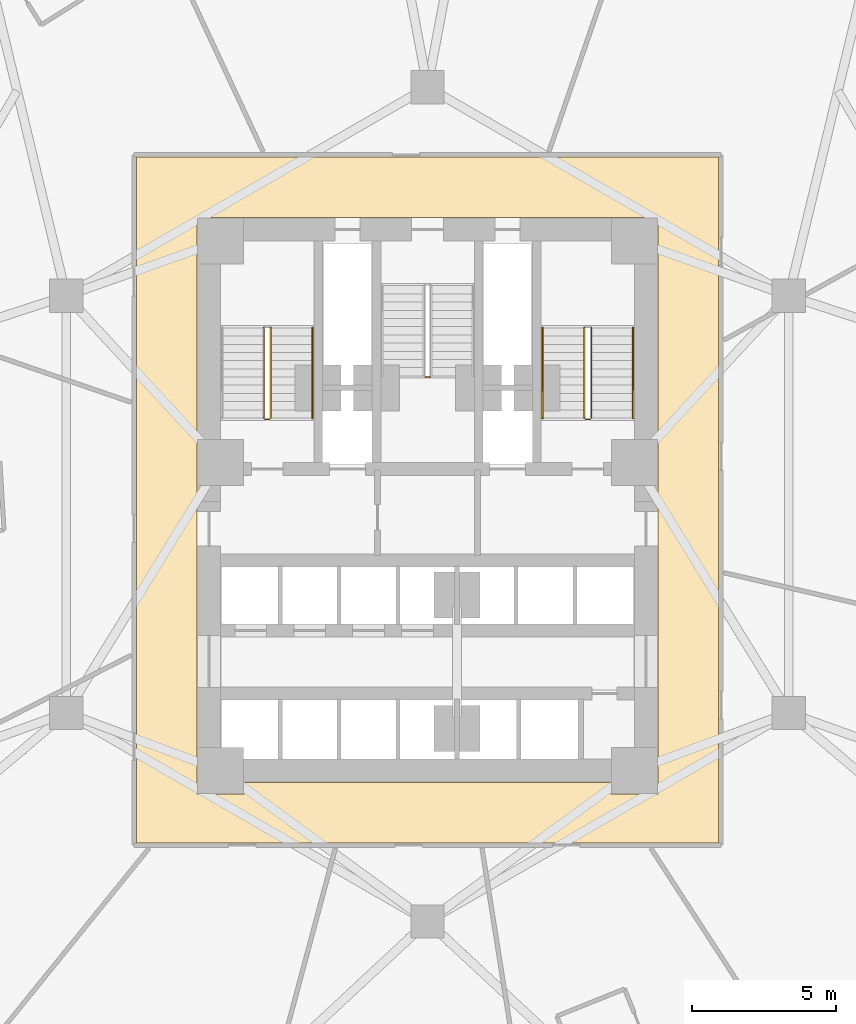
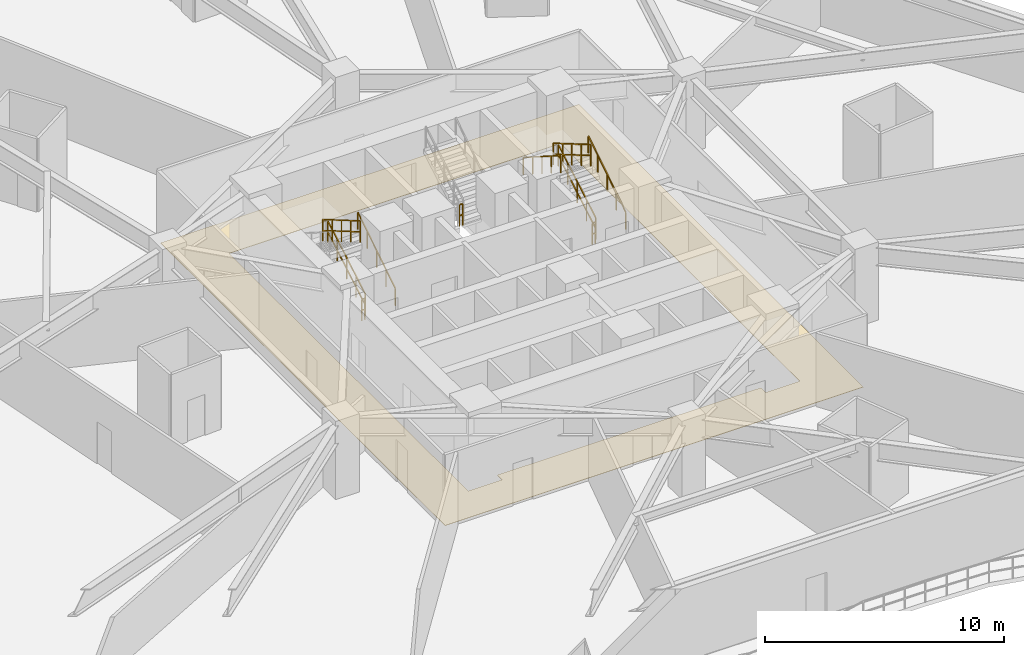
# One storey, part 9 of 11: 10 railings, 1 covering.
"""IFC4 building model written with IfcOpenShell, lengths in metres."""

import ifcopenshell
import ifcopenshell.guid

model = None  # the IFC model being written
_history = None  # IfcOwnerHistory: only IFC2X3 demands one
_inside = {}  # id of a spatial element -> (the spatial element, [elements in it])
_under = {}  # id of a project, library or spatial element -> (it, [spatial elements below it])
_declared = {}  # id of a project -> (the project, [libraries it declares])
_typed = {}  # id of a type object -> (the type object, [elements of that type])
_made_of = {}  # id of a material, layer set ... -> (it, [elements and type objects made of it])


def new_model(schema):
    """Start an empty IFC model of exactly this schema.

    Asked for "IFC4X3", IfcOpenShell would pick the latest addendum, in which some entities
    have other attributes; the version numbers below select the first issue.
    IFC2X3 requires an IfcOwnerHistory on every rooted entity: one is made here for all.
    """
    global model, _history
    if schema == "IFC4X3":
        model = ifcopenshell.file(schema_version=(4, 3, 0, 0))
    else:
        model = ifcopenshell.file(schema=schema)
    _inside.clear()
    _under.clear()
    _declared.clear()
    _typed.clear()
    _made_of.clear()
    _history = None
    if model.schema == "IFC2X3":
        org = make("IfcOrganization", Name="unknown")
        user = make(
            "IfcPersonAndOrganization",
            ThePerson=make("IfcPerson", FamilyName="unknown"),
            TheOrganization=org,
        )
        app = make(
            "IfcApplication",
            ApplicationDeveloper=org,
            Version="unknown",
            ApplicationFullName="unknown",
            ApplicationIdentifier="unknown",
        )
        _history = make(
            "IfcOwnerHistory",
            OwningUser=user,
            OwningApplication=app,
            ChangeAction="ADDED",
            CreationDate=0,
        )
    return model


def make(cls, **values):
    """One entity of the class cls with the attributes given. An attribute that is None is left unset."""
    return model.create_entity(
        cls, **{name: value for name, value in values.items() if value is not None}
    )


def rooted(cls, **values):
    """An entity with a GlobalId (a new one), such as an element, a storey or a relation."""
    return make(cls, GlobalId=ifcopenshell.guid.new(), OwnerHistory=_history, **values)


def si_unit(unit_type, name, prefix=None):
    """IfcSIUnit, for example si_unit("LENGTHUNIT", "METRE", prefix="MILLI")."""
    return make("IfcSIUnit", UnitType=unit_type, Prefix=prefix, Name=name)


def assignment(units):
    """IfcUnitAssignment: the units of a project."""
    return None if units is None else make("IfcUnitAssignment", Units=units)


def point(xyz):
    """IfcCartesianPoint."""
    return None if xyz is None else make("IfcCartesianPoint", Coordinates=xyz)


def direction(xyz):
    """IfcDirection."""
    return None if xyz is None else make("IfcDirection", DirectionRatios=xyz)


def frame(location, z_axis=None, x_axis=None):
    """IfcAxis2Placement3D, a coordinate frame: its origin and axes. An axis left out is left unset."""
    return make(
        "IfcAxis2Placement3D",
        Location=point(location),
        Axis=direction(z_axis),
        RefDirection=direction(x_axis),
    )


def frame_2d(location, x_axis=None):
    """IfcAxis2Placement2D, a coordinate frame in the plane: its origin and x axis."""
    return make(
        "IfcAxis2Placement2D", Location=point(location), RefDirection=direction(x_axis)
    )


def origin():
    """The frame at (0, 0, 0) with its axes left unset."""
    return frame((0.0, 0.0, 0.0))


def origin_2d():
    """The frame at (0, 0) in the plane with its x axis left unset."""
    return frame_2d((0.0, 0.0))


def place(relative_to, where):
    """IfcLocalPlacement: puts the frame where relative to a parent placement (None: the world)."""
    return make(
        "IfcLocalPlacement", PlacementRelTo=relative_to, RelativePlacement=where
    )


def context(
    kind, dimensions, precision=None, world=None, true_north=None, identifier=None
):
    """IfcGeometricRepresentationContext, for example the 3D "Model" context."""
    return make(
        "IfcGeometricRepresentationContext",
        ContextIdentifier=identifier,
        ContextType=kind,
        CoordinateSpaceDimension=dimensions,
        Precision=precision,
        WorldCoordinateSystem=world,
        TrueNorth=true_north,
    )


def subcontext(parent, identifier, kind, view, scale=None):
    """IfcGeometricRepresentationSubContext, for example "Body" below "Model"."""
    return make(
        "IfcGeometricRepresentationSubContext",
        ContextIdentifier=identifier,
        ContextType=kind,
        ParentContext=parent,
        TargetScale=scale,
        TargetView=view,
    )


def project(units=None, contexts=None):
    """IfcProject with its units and contexts."""
    return rooted(
        "IfcProject",
        Name="project",
        RepresentationContexts=contexts,
        UnitsInContext=assignment(units),
    )


def spatial(cls, under=None, at=None, **own):
    """A site, building, storey or space (cls), placed at a placement, below another one or the project."""
    s = rooted(cls, ObjectPlacement=at, **own)
    if under is not None:
        _under.setdefault(under.id(), (under, []))[1].append(s)
    return s


def polyline(points):
    """IfcPolyline through the points."""
    return make("IfcPolyline", Points=[point(p) for p in points])


def profile(cls, at=None, kind="AREA", **sizes):
    """A parametric profile (cls). Its sizes go by their IFC names, for example OverallWidth=200.0."""
    return make(cls, ProfileType=kind, Position=at, **sizes)


def rectangle(**sizes):
    """IfcRectangleProfileDef."""
    return profile("IfcRectangleProfileDef", **sizes)


def outline(outer, holes=None, kind="AREA"):
    """IfcArbitraryClosedProfileDef: a profile drawn as a closed curve; with holes, ...WithVoids."""
    if holes is None:
        return make("IfcArbitraryClosedProfileDef", ProfileType=kind, OuterCurve=outer)
    return make(
        "IfcArbitraryProfileDefWithVoids",
        ProfileType=kind,
        OuterCurve=outer,
        InnerCurves=holes,
    )


def extrude(swept, where, along, depth):
    """IfcExtrudedAreaSolid: the profile swept, set in the frame where, extruded along a direction by depth."""
    return make(
        "IfcExtrudedAreaSolid",
        SweptArea=swept,
        Position=where,
        ExtrudedDirection=direction(along),
        Depth=depth,
    )


def shape(context_of_items, identifier, shape_type, items):
    """IfcShapeRepresentation: the items that make up one representation, for example the "Body"."""
    return make(
        "IfcShapeRepresentation",
        ContextOfItems=context_of_items,
        RepresentationIdentifier=identifier,
        RepresentationType=shape_type,
        Items=items,
    )


def material(Name=None, Category=None):
    """IfcMaterial."""
    return make("IfcMaterial", Name=Name, Category=Category)


def layer(
    of_material, thickness, ventilated=None, Name=None, Category=None, Priority=None
):
    """IfcMaterialLayer: one layer of a wall or slab, of a material (None: an air gap)."""
    return make(
        "IfcMaterialLayer",
        Material=of_material,
        LayerThickness=thickness,
        IsVentilated=ventilated,
        Name=Name,
        Category=Category,
        Priority=Priority,
    )


def layer_set(layers, Name=None):
    """IfcMaterialLayerSet."""
    return make("IfcMaterialLayerSet", MaterialLayers=layers, LayerSetName=Name)


def made_of(thing, what):
    """Note that an element or type object is made of a material, layer set ...; save() writes the relation."""
    if what is not None:
        _made_of.setdefault(what.id(), (what, []))[1].append(thing)
    return thing


def type_object(cls, material=None, **own):
    """A type object (cls), such as IfcWallType, which elements share."""
    return made_of(rooted(cls, **own), material)


def element(
    cls,
    number,
    at=None,
    inside=None,
    cuts=None,
    type_object=None,
    material=None,
    context=None,
    identifier="Body",
    shape_type=None,
    held_by="IfcProductDefinitionShape",
    body=None,
    shapes=None,
    **own,
):
    """One element of the class cls, such as IfcWall. Its Tag is "e" and its number.

    at: its placement. inside: the storey or other place that contains it. cuts: it is an
    opening in that element (IfcRelVoidsElement). A single representation is given by context,
    identifier, shape_type and body (its items); several are given by shapes. held_by: the class
    of the entity that holds the representations. save() writes the other relations.
    """
    e = rooted(cls, Tag="e%d" % number, ObjectPlacement=at, **own)
    if body is not None:
        shapes = [shape(context, identifier, shape_type, body)]
    if shapes is not None:
        e.Representation = make(held_by, Representations=shapes)
    if inside is not None:
        _inside.setdefault(inside.id(), (inside, []))[1].append(e)
    if cuts is not None:
        rooted(
            "IfcRelVoidsElement", RelatingBuildingElement=cuts, RelatedOpeningElement=e
        )
    if type_object is not None:
        _typed.setdefault(type_object.id(), (type_object, []))[1].append(e)
    return made_of(e, material)


def aggregate(whole, parts):
    """IfcRelAggregates: a whole, such as a stair, and the parts it consists of."""
    return rooted("IfcRelAggregates", RelatingObject=whole, RelatedObjects=parts)


def save(model, path):
    """Write the relations noted so far, then the file.

    IfcRelAggregates (storeys below a building ...), IfcRelContainedInSpatialStructure (elements
    in a storey), IfcRelDefinesByType, IfcRelAssociatesMaterial and IfcRelDeclares: one each for
    every whole, place, type object, material and project.
    """
    for whole, parts in _under.values():
        aggregate(whole, parts)
    for where, things in _inside.values():
        rooted(
            "IfcRelContainedInSpatialStructure",
            RelatedElements=things,
            RelatingStructure=where,
        )
    for kind, things in _typed.values():
        rooted("IfcRelDefinesByType", RelatedObjects=things, RelatingType=kind)
    for what, things in _made_of.values():
        rooted("IfcRelAssociatesMaterial", RelatedObjects=things, RelatingMaterial=what)
    for by, libraries in _declared.values():
        rooted("IfcRelDeclares", RelatingContext=by, RelatedDefinitions=libraries)
    model.write(path)


model = new_model("IFC4")

# Units and contexts
model_context = context("Model", 3, precision=1e-05, world=origin(), true_north=direction((0.0, 1.0)))
body_context = subcontext(model_context, "Body", "Model", "MODEL_VIEW")
ifc_project = project(units=[si_unit("LENGTHUNIT", "METRE"), si_unit("AREAUNIT", "SQUARE_METRE"), si_unit("VOLUMEUNIT", "CUBIC_METRE"), si_unit("PLANEANGLEUNIT", "RADIAN"), si_unit("MASSUNIT", "GRAM", prefix="KILO")], contexts=[model_context])

# Site, building, storey
site_placement = place(None, origin())
site = spatial("IfcSite", under=ifc_project, at=site_placement, CompositionType="ELEMENT")
building_placement = place(site_placement, origin())
building = spatial("IfcBuilding", under=site, at=building_placement, Name="Apsidion Concourse Tower", CompositionType="ELEMENT")
storey_placement = place(building_placement, frame((0.0, 0.0, 46.39990234375)))
storey = spatial("IfcBuildingStorey", under=building, at=storey_placement, Name="L09", CompositionType="ELEMENT", Elevation=46.39990234375)

# Covering
ifc_material_1 = material(Name="Honed travertine floor finish", Category="masonry")
ifc_layer = layer(ifc_material_1, 0.02001953125)
ifc_layer_set = layer_set([ifc_layer], Name="Honed travertine floor finish")
covering_type = type_object("IfcCoveringType", Name="COV-FLOR-20", PredefinedType="FLOORING", material=ifc_layer_set)
covering_placement = place(storey_placement, origin())
element("IfcCovering", 1, at=covering_placement, inside=storey, type_object=covering_type, Name="L09 Honed Travertine Floor Finish 2", PredefinedType="FLOORING", context=body_context, shape_type="SweptSolid", body=[
    extrude(outline(polyline([(10.1201171875, 12.070068359375), (10.1201171875, -11.77001953125), (-10.1201171875, -11.77001953125), (-10.1201171875, 12.070068359375), (10.1201171875, 12.070068359375)]), holes=[polyline([(-8.02001953125, 9.949951171875), (-8.02001953125, 8.35009765625), (-8.02001953125, 2.25), (-8.02001953125, 0.64990234375), (-8.02001953125, -8.449951171875), (-8.02001953125, -9.669921875), (-8.02001953125, -10.050048828125), (-8.02001953125, -10.052001953125), (-8.01953125, -10.053955078125), (-8.01904296875, -10.055908203125), (-8.0185546875, -10.0576171875), (-8.017578125, -10.059326171875), (-8.0166015625, -10.06103515625), (-8.015380859375, -10.062744140625), (-8.01416015625, -10.064208984375), (-8.0126953125, -10.0654296875), (-8.010986328125, -10.066650390625), (-8.009521484375, -10.067626953125), (-8.0078125, -10.068603515625), (-8.005859375, -10.069091796875), (-8.00390625, -10.069580078125), (-8.001953125, -10.06982421875), (-8.0, -10.070068359375), (-6.39990234375, -10.070068359375), (-6.39794921875, -10.06982421875), (-6.39599609375, -10.069580078125), (-6.394287109375, -10.069091796875), (-6.392333984375, -10.068603515625), (-6.390625, -10.067626953125), (-6.388916015625, -10.066650390625), (-6.38720703125, -10.0654296875), (-6.385986328125, -10.064208984375), (-6.384521484375, -10.062744140625), (-6.38330078125, -10.06103515625), (-6.38232421875, -10.059326171875), (-6.381591796875, -10.0576171875), (-6.380859375, -10.055908203125), (-6.38037109375, -10.053955078125), (-6.380126953125, -10.052001953125), (-6.3798828125, -10.050048828125), (-6.3798828125, -9.669921875), (6.3798828125, -9.669921875), (6.3798828125, -10.050048828125), (6.380126953125, -10.052001953125), (6.38037109375, -10.053955078125), (6.380859375, -10.055908203125), (6.381591796875, -10.0576171875), (6.38232421875, -10.059326171875), (6.38330078125, -10.06103515625), (6.384521484375, -10.062744140625), (6.385986328125, -10.064208984375), (6.38720703125, -10.0654296875), (6.388916015625, -10.066650390625), (6.390625, -10.067626953125), (6.392333984375, -10.068603515625), (6.394287109375, -10.069091796875), (6.39599609375, -10.069580078125), (6.39794921875, -10.06982421875), (6.39990234375, -10.070068359375), (8.0, -10.070068359375), (8.001953125, -10.06982421875), (8.00390625, -10.069580078125), (8.005859375, -10.069091796875), (8.0078125, -10.068603515625), (8.009521484375, -10.067626953125), (8.010986328125, -10.066650390625), (8.0126953125, -10.0654296875), (8.01416015625, -10.064208984375), (8.015380859375, -10.062744140625), (8.0166015625, -10.06103515625), (8.017578125, -10.059326171875), (8.0185546875, -10.0576171875), (8.01904296875, -10.055908203125), (8.01953125, -10.053955078125), (8.02001953125, -10.052001953125), (8.02001953125, -10.050048828125), (8.02001953125, -9.669921875), (8.02001953125, -8.449951171875), (8.02001953125, 0.64990234375), (8.02001953125, 2.25), (8.02001953125, 8.35009765625), (8.02001953125, 9.949951171875), (8.02001953125, 9.969970703125), (8.0, 9.969970703125), (6.39990234375, 9.969970703125), (-6.39990234375, 9.969970703125), (-8.0, 9.969970703125), (-8.02001953125, 9.969970703125), (-8.02001953125, 9.949951171875)])]), origin(), (0.0, 0.0, 1.0), 0.02001953125),
])

# Railings
ifc_material_2 = material(Name="Brushed stainless steel 316", Category="steel")
railing_type_1 = type_object("IfcRailingType", Name="RL-GUARD-1100", PredefinedType="GUARDRAIL", material=ifc_material_2)
railing_1_placement = place(storey_placement, frame((-5.449951171875, 3.0, 0.166748046875)))
element("IfcRailing", 2, at=railing_1_placement, inside=storey, type_object=railing_type_1, Name="L09 ST1 stair guard 1", PredefinedType="GUARDRAIL", context=body_context, shape_type="SweptSolid", body=[
    extrude(rectangle(XDim=0.048095703125, YDim=0.048095703125, at=origin_2d()), frame((0.0, 0.0, 1.09619140625), z_axis=(0.0, 0.863239559939, 0.504794475164), x_axis=(-1.0, 0.0, 0.0)), (0.0, 0.0, 1.0), 3.631591796875),
    extrude(rectangle(XDim=0.048095703125, YDim=0.048095703125, at=origin_2d()), frame((0.0, 0.0, 0.5361328125), z_axis=(0.0, 0.863239559939, 0.504794475164), x_axis=(-1.0, 0.0, 0.0)), (0.0, 0.0, 1.0), 3.631591796875),
    extrude(rectangle(XDim=0.0419921875, YDim=0.0419921875, at=origin_2d()), origin(), (0.0, 0.0, 1.0), 1.072021484375),
    extrude(rectangle(XDim=0.0419921875, YDim=0.0419921875, at=origin_2d()), frame((0.0, 0.78369140625, 0.458251953125)), (0.0, 0.0, 1.0), 1.072021484375),
    extrude(rectangle(XDim=0.0419921875, YDim=0.0419921875, at=origin_2d()), frame((0.0, 1.5673828125, 0.91650390625)), (0.0, 0.0, 1.0), 1.072021484375),
    extrude(rectangle(XDim=0.0419921875, YDim=0.0419921875, at=origin_2d()), frame((0.0, 2.351318359375, 1.375)), (0.0, 0.0, 1.0), 1.072021484375),
    extrude(rectangle(XDim=0.0419921875, YDim=0.0419921875, at=origin_2d()), frame((0.0, 3.135009765625, 1.833251953125)), (0.0, 0.0, 1.0), 1.072021484375),
])
railing_2_placement = place(storey_placement, frame((-5.699951171875, 6.135009765625, 2.166748046875)))
element("IfcRailing", 3, at=railing_2_placement, inside=storey, type_object=railing_type_1, Name="L09 ST1 stair guard 3", PredefinedType="GUARDRAIL", context=body_context, shape_type="SweptSolid", body=[
    extrude(rectangle(XDim=0.048095703125, YDim=0.048095703125, at=origin_2d()), frame((0.0, 0.0, 1.09619140625), z_axis=(0.0, -0.863239559939, 0.504794475164), x_axis=(1.0, 0.0, 0.0)), (0.0, 0.0, 1.0), 3.631591796875),
    extrude(rectangle(XDim=0.048095703125, YDim=0.048095703125, at=origin_2d()), frame((0.0, 0.0, 0.5361328125), z_axis=(0.0, -0.863239559939, 0.504794475164), x_axis=(1.0, 0.0, 0.0)), (0.0, 0.0, 1.0), 3.631591796875),
    extrude(rectangle(XDim=0.0419921875, YDim=0.0419921875, at=origin_2d()), origin(), (0.0, 0.0, 1.0), 1.072021484375),
    extrude(rectangle(XDim=0.0419921875, YDim=0.0419921875, at=origin_2d()), frame((0.0, -0.78369140625, 0.458251953125)), (0.0, 0.0, 1.0), 1.072021484375),
    extrude(rectangle(XDim=0.0419921875, YDim=0.0419921875, at=origin_2d()), frame((0.0, -1.5673828125, 0.91650390625)), (0.0, 0.0, 1.0), 1.072021484375),
    extrude(rectangle(XDim=0.0419921875, YDim=0.0419921875, at=origin_2d()), frame((0.0, -2.351318359375, 1.375)), (0.0, 0.0, 1.0), 1.072021484375),
    extrude(rectangle(XDim=0.0419921875, YDim=0.0419921875, at=origin_2d()), frame((0.0, -3.135009765625, 1.833251953125)), (0.0, 0.0, 1.0), 1.072021484375),
])
railing_3_placement = place(storey_placement, frame((-5.5, 2.949951171875, 0.0)))
element("IfcRailing", 4, at=railing_3_placement, inside=storey, type_object=railing_type_1, Name="L09 ST1 stair guard 4", PredefinedType="GUARDRAIL", context=body_context, shape_type="SweptSolid", body=[
    extrude(rectangle(XDim=0.048095703125, YDim=0.048095703125, at=origin_2d()), frame((0.0, 0.0, 1.09619140625), z_axis=(-1.0, 0.0, 0.0), x_axis=(0.0, -1.0, 0.0)), (0.0, 0.0, 1.0), 0.14990234375),
    extrude(rectangle(XDim=0.048095703125, YDim=0.048095703125, at=origin_2d()), frame((0.0, 0.0, 0.5361328125), z_axis=(-1.0, 0.0, 0.0), x_axis=(0.0, -1.0, 0.0)), (0.0, 0.0, 1.0), 0.14990234375),
    extrude(rectangle(XDim=0.0419921875, YDim=0.0419921875, at=origin_2d()), origin(), (0.0, 0.0, 1.0), 1.072021484375),
    extrude(rectangle(XDim=0.0419921875, YDim=0.0419921875, at=origin_2d()), frame((-0.14990234375, 0.0, 0.0)), (0.0, 0.0, 1.0), 1.072021484375),
])
railing_4_placement = place(storey_placement, frame((5.699951171875, 3.0, 0.166748046875)))
element("IfcRailing", 5, at=railing_4_placement, inside=storey, type_object=railing_type_1, Name="L09 ST2 stair guard 1", PredefinedType="GUARDRAIL", context=body_context, shape_type="SweptSolid", body=[
    extrude(rectangle(XDim=0.048095703125, YDim=0.048095703125, at=origin_2d()), frame((0.0, 0.0, 1.09619140625), z_axis=(0.0, 0.863239559939, 0.504794475164), x_axis=(-1.0, 0.0, 0.0)), (0.0, 0.0, 1.0), 3.631591796875),
    extrude(rectangle(XDim=0.048095703125, YDim=0.048095703125, at=origin_2d()), frame((0.0, 0.0, 0.5361328125), z_axis=(0.0, 0.863239559939, 0.504794475164), x_axis=(-1.0, 0.0, 0.0)), (0.0, 0.0, 1.0), 3.631591796875),
    extrude(rectangle(XDim=0.0419921875, YDim=0.0419921875, at=origin_2d()), origin(), (0.0, 0.0, 1.0), 1.072021484375),
    extrude(rectangle(XDim=0.0419921875, YDim=0.0419921875, at=origin_2d()), frame((0.0, 0.78369140625, 0.458251953125)), (0.0, 0.0, 1.0), 1.072021484375),
    extrude(rectangle(XDim=0.0419921875, YDim=0.0419921875, at=origin_2d()), frame((0.0, 1.5673828125, 0.91650390625)), (0.0, 0.0, 1.0), 1.072021484375),
    extrude(rectangle(XDim=0.0419921875, YDim=0.0419921875, at=origin_2d()), frame((0.0, 2.351318359375, 1.375)), (0.0, 0.0, 1.0), 1.072021484375),
    extrude(rectangle(XDim=0.0419921875, YDim=0.0419921875, at=origin_2d()), frame((0.0, 3.135009765625, 1.833251953125)), (0.0, 0.0, 1.0), 1.072021484375),
])
railing_5_placement = place(storey_placement, frame((5.449951171875, 6.135009765625, 2.166748046875)))
element("IfcRailing", 6, at=railing_5_placement, inside=storey, type_object=railing_type_1, Name="L09 ST2 stair guard 3", PredefinedType="GUARDRAIL", context=body_context, shape_type="SweptSolid", body=[
    extrude(rectangle(XDim=0.048095703125, YDim=0.048095703125, at=origin_2d()), frame((0.0, 0.0, 1.09619140625), z_axis=(0.0, -0.863239559939, 0.504794475164), x_axis=(1.0, 0.0, 0.0)), (0.0, 0.0, 1.0), 3.631591796875),
    extrude(rectangle(XDim=0.048095703125, YDim=0.048095703125, at=origin_2d()), frame((0.0, 0.0, 0.5361328125), z_axis=(0.0, -0.863239559939, 0.504794475164), x_axis=(1.0, 0.0, 0.0)), (0.0, 0.0, 1.0), 3.631591796875),
    extrude(rectangle(XDim=0.0419921875, YDim=0.0419921875, at=origin_2d()), origin(), (0.0, 0.0, 1.0), 1.072021484375),
    extrude(rectangle(XDim=0.0419921875, YDim=0.0419921875, at=origin_2d()), frame((0.0, -0.78369140625, 0.458251953125)), (0.0, 0.0, 1.0), 1.072021484375),
    extrude(rectangle(XDim=0.0419921875, YDim=0.0419921875, at=origin_2d()), frame((0.0, -1.5673828125, 0.91650390625)), (0.0, 0.0, 1.0), 1.072021484375),
    extrude(rectangle(XDim=0.0419921875, YDim=0.0419921875, at=origin_2d()), frame((0.0, -2.351318359375, 1.375)), (0.0, 0.0, 1.0), 1.072021484375),
    extrude(rectangle(XDim=0.0419921875, YDim=0.0419921875, at=origin_2d()), frame((0.0, -3.135009765625, 1.833251953125)), (0.0, 0.0, 1.0), 1.072021484375),
])
railing_6_placement = place(storey_placement, frame((5.64990234375, 2.949951171875, 0.0)))
element("IfcRailing", 7, at=railing_6_placement, inside=storey, type_object=railing_type_1, Name="L09 ST2 stair guard 4", PredefinedType="GUARDRAIL", context=body_context, shape_type="SweptSolid", body=[
    extrude(rectangle(XDim=0.048095703125, YDim=0.048095703125, at=origin_2d()), frame((0.0, 0.0, 1.09619140625), z_axis=(-1.0, 0.0, 0.0), x_axis=(0.0, -1.0, 0.0)), (0.0, 0.0, 1.0), 0.14990234375),
    extrude(rectangle(XDim=0.048095703125, YDim=0.048095703125, at=origin_2d()), frame((0.0, 0.0, 0.5361328125), z_axis=(-1.0, 0.0, 0.0), x_axis=(0.0, -1.0, 0.0)), (0.0, 0.0, 1.0), 0.14990234375),
    extrude(rectangle(XDim=0.0419921875, YDim=0.0419921875, at=origin_2d()), origin(), (0.0, 0.0, 1.0), 1.072021484375),
    extrude(rectangle(XDim=0.0419921875, YDim=0.0419921875, at=origin_2d()), frame((-0.14990234375, 0.0, 0.0)), (0.0, 0.0, 1.0), 1.072021484375),
])
railing_7_placement = place(storey_placement, frame((-0.074951171875, 4.4150390625, 2.0)))
element("IfcRailing", 8, at=railing_7_placement, inside=storey, type_object=railing_type_1, Name="L09 ST3 stair guard 2", PredefinedType="GUARDRAIL", context=body_context, shape_type="SweptSolid", body=[
    extrude(rectangle(XDim=0.048095703125, YDim=0.048095703125, at=origin_2d()), frame((0.0, 0.0, 1.09619140625), z_axis=(1.0, 0.0, 0.0), x_axis=(0.0, 1.0, 0.0)), (0.0, 0.0, 1.0), 0.14990234375),
    extrude(rectangle(XDim=0.048095703125, YDim=0.048095703125, at=origin_2d()), frame((0.0, 0.0, 0.5361328125), z_axis=(1.0, 0.0, 0.0), x_axis=(0.0, 1.0, 0.0)), (0.0, 0.0, 1.0), 0.14990234375),
    extrude(rectangle(XDim=0.0419921875, YDim=0.0419921875, at=origin_2d()), origin(), (0.0, 0.0, 1.0), 1.072021484375),
    extrude(rectangle(XDim=0.0419921875, YDim=0.0419921875, at=origin_2d()), frame((0.14990234375, 0.0, 0.0)), (0.0, 0.0, 1.0), 1.072021484375),
])
railing_type_2 = type_object("IfcRailingType", Name="RL-HAND-900", PredefinedType="HANDRAIL", material=ifc_material_2)
for number, where, name in (
    (9, (-4.0, 3.0, 0.166748046875), "L09 ST1 stair handrail 1"),
    (10, (7.14990234375, 3.0, 0.166748046875), "L09 ST2 stair handrail 1"),
):
    element("IfcRailing", number, at=place(storey_placement, frame(where)), inside=storey, type_object=railing_type_2, Name=name, PredefinedType="HANDRAIL", context=body_context, shape_type="SweptSolid", body=[
        extrude(rectangle(XDim=0.048095703125, YDim=0.048095703125, at=origin_2d()), frame((0.0, 0.0, 0.8759765625), z_axis=(0.0, 0.843052688722, 0.537830980921), x_axis=(-1.0, 0.0, 0.0)), (0.0, 0.0, 1.0), 3.71875),
        extrude(rectangle(XDim=0.0419921875, YDim=0.0419921875, at=origin_2d()), origin(), (0.0, 0.0, 1.0), 0.851806640625),
        extrude(rectangle(XDim=0.0419921875, YDim=0.0419921875, at=origin_2d()), frame((0.0, 0.78369140625, 0.5)), (0.0, 0.0, 1.0), 0.851806640625),
        extrude(rectangle(XDim=0.0419921875, YDim=0.0419921875, at=origin_2d()), frame((0.0, 1.5673828125, 1.0)), (0.0, 0.0, 1.0), 0.851806640625),
        extrude(rectangle(XDim=0.0419921875, YDim=0.0419921875, at=origin_2d()), frame((0.0, 2.351318359375, 1.5)), (0.0, 0.0, 1.0), 0.851806640625),
        extrude(rectangle(XDim=0.0419921875, YDim=0.0419921875, at=origin_2d()), frame((0.0, 3.135009765625, 2.0)), (0.0, 0.0, 1.0), 0.851806640625),
    ])
railing_8_placement = place(storey_placement, frame((4.0, 6.135009765625, 2.166748046875)))
element("IfcRailing", 11, at=railing_8_placement, inside=storey, type_object=railing_type_2, Name="L09 ST2 stair handrail 2", PredefinedType="HANDRAIL", context=body_context, shape_type="SweptSolid", body=[
    extrude(rectangle(XDim=0.048095703125, YDim=0.048095703125, at=origin_2d()), frame((0.0, 0.0, 0.8759765625), z_axis=(0.0, -0.843052688722, 0.537830980921), x_axis=(1.0, 0.0, 0.0)), (0.0, 0.0, 1.0), 3.71875),
    extrude(rectangle(XDim=0.0419921875, YDim=0.0419921875, at=origin_2d()), origin(), (0.0, 0.0, 1.0), 0.851806640625),
    extrude(rectangle(XDim=0.0419921875, YDim=0.0419921875, at=origin_2d()), frame((0.0, -0.78369140625, 0.5)), (0.0, 0.0, 1.0), 0.851806640625),
    extrude(rectangle(XDim=0.0419921875, YDim=0.0419921875, at=origin_2d()), frame((0.0, -1.5673828125, 1.0)), (0.0, 0.0, 1.0), 0.851806640625),
    extrude(rectangle(XDim=0.0419921875, YDim=0.0419921875, at=origin_2d()), frame((0.0, -2.351318359375, 1.5)), (0.0, 0.0, 1.0), 0.851806640625),
    extrude(rectangle(XDim=0.0419921875, YDim=0.0419921875, at=origin_2d()), frame((0.0, -3.135009765625, 2.0)), (0.0, 0.0, 1.0), 0.851806640625),
])

save(model, "model.ifc")
